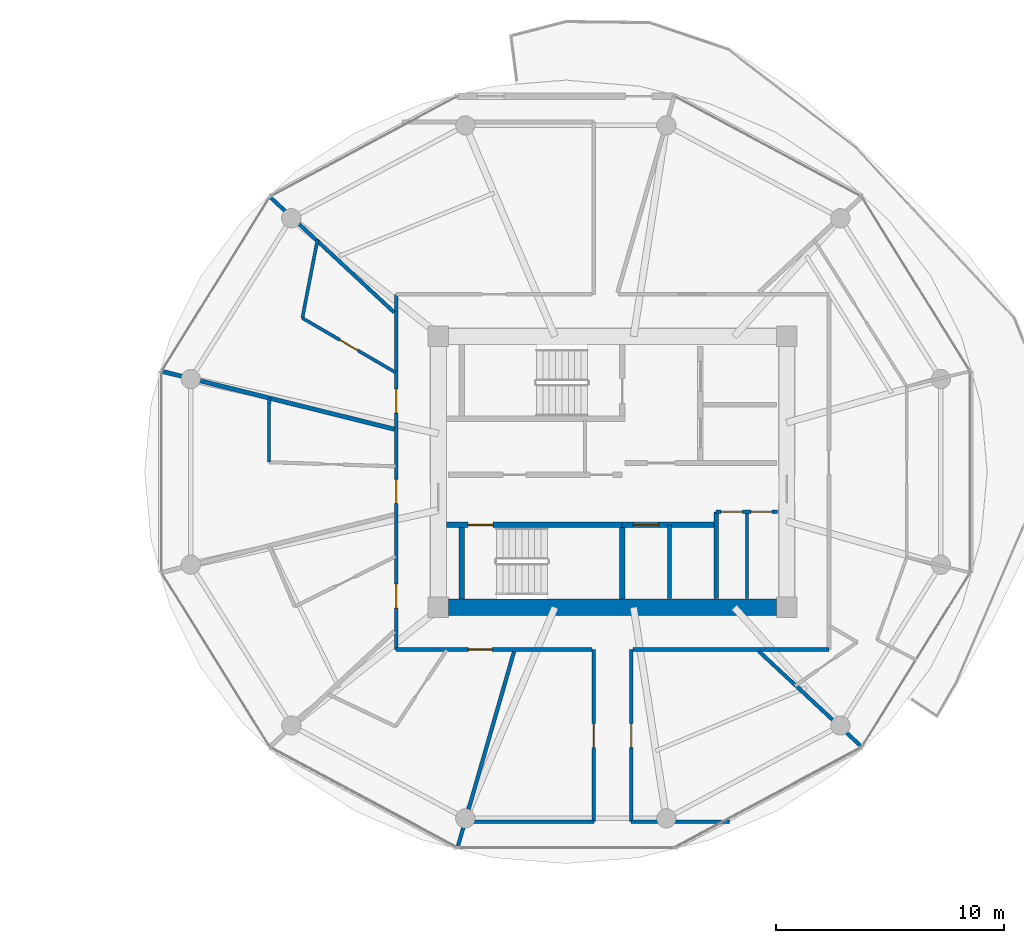
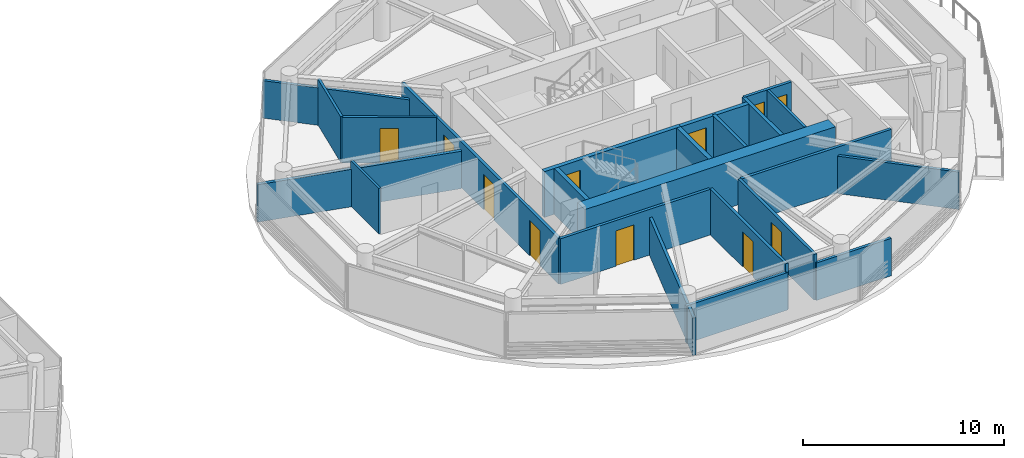
# One storey, part 16 of 24: 23 walls, 11 doors, 11 openings.
"""IFC4 building model written with IfcOpenShell, lengths in metres."""

import ifcopenshell
import ifcopenshell.guid

model = None  # the IFC model being written
_history = None  # IfcOwnerHistory: only IFC2X3 demands one
_inside = {}  # id of a spatial element -> (the spatial element, [elements in it])
_under = {}  # id of a project, library or spatial element -> (it, [spatial elements below it])
_declared = {}  # id of a project -> (the project, [libraries it declares])
_typed = {}  # id of a type object -> (the type object, [elements of that type])
_made_of = {}  # id of a material, layer set ... -> (it, [elements and type objects made of it])


def new_model(schema):
    """Start an empty IFC model of exactly this schema.

    Asked for "IFC4X3", IfcOpenShell would pick the latest addendum, in which some entities
    have other attributes; the version numbers below select the first issue.
    IFC2X3 requires an IfcOwnerHistory on every rooted entity: one is made here for all.
    """
    global model, _history
    if schema == "IFC4X3":
        model = ifcopenshell.file(schema_version=(4, 3, 0, 0))
    else:
        model = ifcopenshell.file(schema=schema)
    _inside.clear()
    _under.clear()
    _declared.clear()
    _typed.clear()
    _made_of.clear()
    _history = None
    if model.schema == "IFC2X3":
        org = make("IfcOrganization", Name="unknown")
        user = make(
            "IfcPersonAndOrganization",
            ThePerson=make("IfcPerson", FamilyName="unknown"),
            TheOrganization=org,
        )
        app = make(
            "IfcApplication",
            ApplicationDeveloper=org,
            Version="unknown",
            ApplicationFullName="unknown",
            ApplicationIdentifier="unknown",
        )
        _history = make(
            "IfcOwnerHistory",
            OwningUser=user,
            OwningApplication=app,
            ChangeAction="ADDED",
            CreationDate=0,
        )
    return model


def make(cls, **values):
    """One entity of the class cls with the attributes given. An attribute that is None is left unset."""
    return model.create_entity(
        cls, **{name: value for name, value in values.items() if value is not None}
    )


def rooted(cls, **values):
    """An entity with a GlobalId (a new one), such as an element, a storey or a relation."""
    return make(cls, GlobalId=ifcopenshell.guid.new(), OwnerHistory=_history, **values)


def si_unit(unit_type, name, prefix=None):
    """IfcSIUnit, for example si_unit("LENGTHUNIT", "METRE", prefix="MILLI")."""
    return make("IfcSIUnit", UnitType=unit_type, Prefix=prefix, Name=name)


def assignment(units):
    """IfcUnitAssignment: the units of a project."""
    return None if units is None else make("IfcUnitAssignment", Units=units)


def point(xyz):
    """IfcCartesianPoint."""
    return None if xyz is None else make("IfcCartesianPoint", Coordinates=xyz)


def direction(xyz):
    """IfcDirection."""
    return None if xyz is None else make("IfcDirection", DirectionRatios=xyz)


def frame(location, z_axis=None, x_axis=None):
    """IfcAxis2Placement3D, a coordinate frame: its origin and axes. An axis left out is left unset."""
    return make(
        "IfcAxis2Placement3D",
        Location=point(location),
        Axis=direction(z_axis),
        RefDirection=direction(x_axis),
    )


def frame_2d(location, x_axis=None):
    """IfcAxis2Placement2D, a coordinate frame in the plane: its origin and x axis."""
    return make(
        "IfcAxis2Placement2D", Location=point(location), RefDirection=direction(x_axis)
    )


def origin():
    """The frame at (0, 0, 0) with its axes left unset."""
    return frame((0.0, 0.0, 0.0))


def place(relative_to, where):
    """IfcLocalPlacement: puts the frame where relative to a parent placement (None: the world)."""
    return make(
        "IfcLocalPlacement", PlacementRelTo=relative_to, RelativePlacement=where
    )


def context(
    kind, dimensions, precision=None, world=None, true_north=None, identifier=None
):
    """IfcGeometricRepresentationContext, for example the 3D "Model" context."""
    return make(
        "IfcGeometricRepresentationContext",
        ContextIdentifier=identifier,
        ContextType=kind,
        CoordinateSpaceDimension=dimensions,
        Precision=precision,
        WorldCoordinateSystem=world,
        TrueNorth=true_north,
    )


def subcontext(parent, identifier, kind, view, scale=None):
    """IfcGeometricRepresentationSubContext, for example "Body" below "Model"."""
    return make(
        "IfcGeometricRepresentationSubContext",
        ContextIdentifier=identifier,
        ContextType=kind,
        ParentContext=parent,
        TargetScale=scale,
        TargetView=view,
    )


def project(units=None, contexts=None):
    """IfcProject with its units and contexts."""
    return rooted(
        "IfcProject",
        Name="project",
        RepresentationContexts=contexts,
        UnitsInContext=assignment(units),
    )


def spatial(cls, under=None, at=None, **own):
    """A site, building, storey or space (cls), placed at a placement, below another one or the project."""
    s = rooted(cls, ObjectPlacement=at, **own)
    if under is not None:
        _under.setdefault(under.id(), (under, []))[1].append(s)
    return s


def profile(cls, at=None, kind="AREA", **sizes):
    """A parametric profile (cls). Its sizes go by their IFC names, for example OverallWidth=200.0."""
    return make(cls, ProfileType=kind, Position=at, **sizes)


def rectangle(**sizes):
    """IfcRectangleProfileDef."""
    return profile("IfcRectangleProfileDef", **sizes)


def extrude(swept, where, along, depth):
    """IfcExtrudedAreaSolid: the profile swept, set in the frame where, extruded along a direction by depth."""
    return make(
        "IfcExtrudedAreaSolid",
        SweptArea=swept,
        Position=where,
        ExtrudedDirection=direction(along),
        Depth=depth,
    )


def shape(context_of_items, identifier, shape_type, items):
    """IfcShapeRepresentation: the items that make up one representation, for example the "Body"."""
    return make(
        "IfcShapeRepresentation",
        ContextOfItems=context_of_items,
        RepresentationIdentifier=identifier,
        RepresentationType=shape_type,
        Items=items,
    )


def source(mapping_origin, context_of_items, identifier, shape_type, items):
    """IfcRepresentationMap: a shape defined once, which mapped items show again and again."""
    return make(
        "IfcRepresentationMap",
        MappingOrigin=mapping_origin,
        MappedRepresentation=shape(context_of_items, identifier, shape_type, items),
    )


def transform(
    local_origin,
    x_axis=None,
    y_axis=None,
    z_axis=None,
    scale=None,
    scale2=None,
    scale3=None,
    uniform=True,
):
    """IfcCartesianTransformationOperator3D, or its non-uniform kind. x_axis, y_axis, z_axis: its Axis1, 2, 3."""
    if uniform:
        return make(
            "IfcCartesianTransformationOperator3D",
            Axis1=direction(x_axis),
            Axis2=direction(y_axis),
            LocalOrigin=point(local_origin),
            Scale=scale,
            Axis3=direction(z_axis),
        )
    return make(
        "IfcCartesianTransformationOperator3DnonUniform",
        Axis1=direction(x_axis),
        Axis2=direction(y_axis),
        LocalOrigin=point(local_origin),
        Scale=scale,
        Axis3=direction(z_axis),
        Scale2=scale2,
        Scale3=scale3,
    )


def mapped(mapping_source, mapping_target):
    """IfcMappedItem: shows the shape of a source again, moved by a transform."""
    return make(
        "IfcMappedItem", MappingSource=mapping_source, MappingTarget=mapping_target
    )


def material(Name=None, Category=None):
    """IfcMaterial."""
    return make("IfcMaterial", Name=Name, Category=Category)


def layer(
    of_material, thickness, ventilated=None, Name=None, Category=None, Priority=None
):
    """IfcMaterialLayer: one layer of a wall or slab, of a material (None: an air gap)."""
    return make(
        "IfcMaterialLayer",
        Material=of_material,
        LayerThickness=thickness,
        IsVentilated=ventilated,
        Name=Name,
        Category=Category,
        Priority=Priority,
    )


def layer_set(layers, Name=None):
    """IfcMaterialLayerSet."""
    return make("IfcMaterialLayerSet", MaterialLayers=layers, LayerSetName=Name)


def made_of(thing, what):
    """Note that an element or type object is made of a material, layer set ...; save() writes the relation."""
    if what is not None:
        _made_of.setdefault(what.id(), (what, []))[1].append(thing)
    return thing


def type_object(cls, material=None, **own):
    """A type object (cls), such as IfcWallType, which elements share."""
    return made_of(rooted(cls, **own), material)


def type_shapes(of_type, sources):
    """Give a type object the sources (RepresentationMaps) that its elements show as mapped items."""
    of_type.RepresentationMaps = sources


def element(
    cls,
    number,
    at=None,
    inside=None,
    cuts=None,
    type_object=None,
    material=None,
    context=None,
    identifier="Body",
    shape_type=None,
    held_by="IfcProductDefinitionShape",
    body=None,
    shapes=None,
    **own,
):
    """One element of the class cls, such as IfcWall. Its Tag is "e" and its number.

    at: its placement. inside: the storey or other place that contains it. cuts: it is an
    opening in that element (IfcRelVoidsElement). A single representation is given by context,
    identifier, shape_type and body (its items); several are given by shapes. held_by: the class
    of the entity that holds the representations. save() writes the other relations.
    """
    e = rooted(cls, Tag="e%d" % number, ObjectPlacement=at, **own)
    if body is not None:
        shapes = [shape(context, identifier, shape_type, body)]
    if shapes is not None:
        e.Representation = make(held_by, Representations=shapes)
    if inside is not None:
        _inside.setdefault(inside.id(), (inside, []))[1].append(e)
    if cuts is not None:
        rooted(
            "IfcRelVoidsElement", RelatingBuildingElement=cuts, RelatedOpeningElement=e
        )
    if type_object is not None:
        _typed.setdefault(type_object.id(), (type_object, []))[1].append(e)
    return made_of(e, material)


def fill(opening, filler):
    """IfcRelFillsElement: the door or window that sits in an opening."""
    return rooted(
        "IfcRelFillsElement",
        RelatingOpeningElement=opening,
        RelatedBuildingElement=filler,
    )


def aggregate(whole, parts):
    """IfcRelAggregates: a whole, such as a stair, and the parts it consists of."""
    return rooted("IfcRelAggregates", RelatingObject=whole, RelatedObjects=parts)


def save(model, path):
    """Write the relations noted so far, then the file.

    IfcRelAggregates (storeys below a building ...), IfcRelContainedInSpatialStructure (elements
    in a storey), IfcRelDefinesByType, IfcRelAssociatesMaterial and IfcRelDeclares: one each for
    every whole, place, type object, material and project.
    """
    for whole, parts in _under.values():
        aggregate(whole, parts)
    for where, things in _inside.values():
        rooted(
            "IfcRelContainedInSpatialStructure",
            RelatedElements=things,
            RelatingStructure=where,
        )
    for kind, things in _typed.values():
        rooted("IfcRelDefinesByType", RelatedObjects=things, RelatingType=kind)
    for what, things in _made_of.values():
        rooted("IfcRelAssociatesMaterial", RelatedObjects=things, RelatingMaterial=what)
    for by, libraries in _declared.values():
        rooted("IfcRelDeclares", RelatingContext=by, RelatedDefinitions=libraries)
    model.write(path)


model = new_model("IFC4")

# Units and contexts
model_context = context("Model", 3, precision=1e-05, world=origin(), true_north=direction((0.0, 1.0)))
body_context = subcontext(model_context, "Body", "Model", "MODEL_VIEW")
ifc_project = project(units=[si_unit("LENGTHUNIT", "METRE"), si_unit("AREAUNIT", "SQUARE_METRE"), si_unit("VOLUMEUNIT", "CUBIC_METRE"), si_unit("PLANEANGLEUNIT", "RADIAN"), si_unit("MASSUNIT", "GRAM", prefix="KILO")], contexts=[model_context])

# Site, building, storey
site_placement = place(None, origin())
site = spatial("IfcSite", under=ifc_project, at=site_placement, CompositionType="ELEMENT")
building_placement = place(site_placement, origin())
building = spatial("IfcBuilding", under=site, at=building_placement, Name="Norrkilde Senior Care Towers", CompositionType="ELEMENT")
storey_placement = place(building_placement, frame((0.0, 0.0, 108.449951171875)))
storey = spatial("IfcBuildingStorey", under=building, at=storey_placement, Name="L33", CompositionType="ELEMENT", Elevation=108.449951171875)

# Walls
ifc_material_1 = material(Name="Concrete C60/75", Category="concrete")
ifc_layer_1 = layer(ifc_material_1, 0.719970703125)
ifc_layer_set_1 = layer_set([ifc_layer_1], Name="Concrete C60/75")
wall_type_1 = type_object("IfcWallType", Name="Core Shear Wall Z2 720", PredefinedType="SHEAR", material=ifc_layer_set_1)
shared_shape_1 = source(origin(), body_context, "Body", "SweptSolid", [
    extrude(rectangle(XDim=14.39990234375, YDim=0.719970703125, at=frame_2d((7.199951171875, 0.0))), origin(), (0.0, 0.0, 1.0), 2.7900390625),
])
type_shapes(wall_type_1, [shared_shape_1])
wall_1_placement = place(storey_placement, frame((35.199951171875, -5.949951171875, 0.0), z_axis=(0.0, 0.0, 1.0), x_axis=(-1.0, 0.0, 0.0)))
element("IfcWall", 1, at=wall_1_placement, inside=storey, type_object=wall_type_1, Name="L33 Core E South Shear Wall", PredefinedType="SHEAR", context=body_context, shape_type="MappedRepresentation", body=[
    mapped(shared_shape_1, transform((0.0, 0.0, 0.0), x_axis=(1.0, 0.0, 0.0), y_axis=(0.0, 1.0, 0.0), z_axis=(0.0, 0.0, 1.0), scale=1.0)),
])
ifc_material_2 = material(Name="Concrete C45/55", Category="concrete")
ifc_layer_2 = layer(ifc_material_2, 0.199951171875)
ifc_layer_set_2 = layer_set([ifc_layer_2], Name="Concrete C45/55")
wall_type_2 = type_object("IfcWallType", Name="Shaft Division and Plant Partition 200", PredefinedType="PARTITIONING", material=ifc_layer_set_2)
shared_shape_2 = source(origin(), body_context, "Body", "SweptSolid", [
    extrude(rectangle(XDim=3.800048828125, YDim=0.199951171875, at=frame_2d((1.89990234375, 0.0))), origin(), (0.0, 0.0, 1.0), 2.775146484375),
])
type_shapes(wall_type_2, [shared_shape_2])
wall_2_placement = place(storey_placement, frame((32.550048828125, -5.550048828125, 0.0), z_axis=(0.0, 0.0, 1.0), x_axis=(0.0, 1.0, 0.0)))
element("IfcWall", 2, at=wall_2_placement, inside=storey, type_object=wall_type_2, Name="WL-INT-L33-E-PKBE", PredefinedType="PARTITIONING", context=body_context, shape_type="MappedRepresentation", body=[
    mapped(shared_shape_2, transform((0.0, 0.0, 0.0), x_axis=(1.0, 0.0, 0.0), y_axis=(0.0, 1.0, 0.0), z_axis=(0.0, 0.0, 1.0), scale=1.0)),
])

# Wall, opening, door
ifc_layer_3 = layer(ifc_material_2, 0.239990234375)
ifc_layer_set_3 = layer_set([ifc_layer_3], Name="Concrete C45/55")
wall_type_3 = type_object("IfcWallType", Name="Lift and Plant Rated Enclosure Partition 240", PredefinedType="PARTITIONING", material=ifc_layer_set_3)
shared_shape_3 = source(origin(), body_context, "Body", "SweptSolid", [
    extrude(rectangle(XDim=4.130126953125, YDim=0.239990234375, at=frame_2d((2.06494140625, 0.0))), origin(), (0.0, 0.0, 1.0), 2.775146484375),
])
type_shapes(wall_type_3, [shared_shape_3])
wall_3_placement = place(storey_placement, frame((28.419921875, -2.330078125, 0.0), z_axis=(0.0, 0.0, 1.0), x_axis=(1.0, 0.0, 0.0)))
wall_3 = element("IfcWall", 3, at=wall_3_placement, inside=storey, type_object=wall_type_3, Name="WL-INT-L33-E-PKBN", PredefinedType="PARTITIONING", context=body_context, shape_type="MappedRepresentation", body=[
    mapped(shared_shape_3, transform((0.0, 0.0, 0.0), x_axis=(1.0, 0.0, 0.0), y_axis=(0.0, 1.0, 0.0), z_axis=(0.0, 0.0, 1.0), scale=1.0)),
])
opening_1_placement = place(wall_3_placement, frame((0.5, 0.0, 0.0)))
opening_1 = element("IfcOpeningElement", 4, at=opening_1_placement, cuts=wall_3, Name="Opening LD-01", PredefinedType="OPENING", context=body_context, shape_type="SweptSolid", body=[
    extrude(rectangle(XDim=1.10009765625, YDim=2.199951171875, at=frame_2d((0.550048828125, 1.10009765625))), frame((0.0, 0.1298828125, 0.0), z_axis=(0.0, -1.0, 0.0), x_axis=(1.0, 0.0, 0.0)), (0.0, 0.0, 1.0), 0.260009765625),
])
ifc_material_3 = material(Name="Stainless Steel", Category="steel")
door_type_1 = type_object("IfcDoorType", Name="Lift Landing Sliding Door 1100x2200", OperationType="NOTDEFINED", PredefinedType="DOOR", material=ifc_material_3)
shared_shape_4 = source(origin(), body_context, "Body", "SweptSolid", [
    extrude(rectangle(XDim=1.10009765625, YDim=2.199951171875, at=frame_2d((0.550048828125, 1.10009765625))), frame((0.0, 0.02490234375, 0.0), z_axis=(0.0, -1.0, 0.0), x_axis=(1.0, 0.0, 0.0)), (0.0, 0.0, 1.0), 0.050048828125),
])
type_shapes(door_type_1, [shared_shape_4])
door_1_placement = place(opening_1_placement, frame((1.10009765625, 0.0, 0.0), z_axis=(0.0, 0.0, 1.0), x_axis=(-1.0, 0.0, 0.0)))
door_1 = element("IfcDoor", 5, at=door_1_placement, inside=storey, type_object=door_type_1, Name="L33 Passenger Lift E3 Landing Door", OperationType="SLIDING_TO_LEFT", OverallHeight=2.199951171875, OverallWidth=1.10009765625, PredefinedType="DOOR", context=body_context, shape_type="MappedRepresentation", body=[
    mapped(shared_shape_4, transform((0.0, 0.0, 0.0), x_axis=(1.0, 0.0, 0.0), y_axis=(0.0, 1.0, 0.0), z_axis=(0.0, 0.0, 1.0), scale=1.0)),
])
fill(opening_1, door_1)

# Wall
ifc_layer_4 = layer(ifc_material_2, 0.179931640625)
ifc_layer_set_4 = layer_set([ifc_layer_4], Name="Concrete C45/55")
wall_type_4 = type_object("IfcWallType", Name="Hoistway Division Rated Partition 180", PredefinedType="PARTITIONING", material=ifc_layer_set_4)
shared_shape_5 = source(origin(), body_context, "Body", "SweptSolid", [
    extrude(rectangle(XDim=3.219970703125, YDim=0.179931640625, at=frame_2d((1.60986328125, 0.0))), origin(), (0.0, 0.0, 1.0), 2.775146484375),
])
type_shapes(wall_type_4, [shared_shape_5])
wall_4_placement = place(storey_placement, frame((30.5, -5.550048828125, 0.0), z_axis=(0.0, 0.0, 1.0), x_axis=(0.0, 1.0, 0.0)))
element("IfcWall", 6, at=wall_4_placement, inside=storey, type_object=wall_type_4, Name="WL-INT-L33-E-PL34", PredefinedType="PARTITIONING", context=body_context, shape_type="MappedRepresentation", body=[
    mapped(shared_shape_5, transform((0.0, 0.0, 0.0), x_axis=(1.0, 0.0, 0.0), y_axis=(0.0, 1.0, 0.0), z_axis=(0.0, 0.0, 1.0), scale=1.0)),
])

# Wall, openings, doors
ifc_material_4 = material(Name="Gypsum Acoustic Board")
ifc_layer_5 = layer(ifc_material_4, 0.1650390625)
ifc_layer_set_5 = layer_set([ifc_layer_5], Name="Gypsum Acoustic Board")
wall_type_5 = type_object("IfcWallType", Name="Corridor Rated Partition 165", PredefinedType="PARTITIONING", material=ifc_layer_set_5)
shared_shape_6 = source(origin(), body_context, "Body", "SweptSolid", [
    extrude(rectangle(XDim=2.699951171875, YDim=0.1650390625, at=frame_2d((1.35009765625, 0.0))), origin(), (0.0, 0.0, 1.0), 2.775146484375),
])
wall_5_placement = place(storey_placement, frame((32.550048828125, -1.75, 0.0), z_axis=(0.0, 0.0, 1.0), x_axis=(1.0, 0.0, 0.0)))
wall_5 = element("IfcWall", 7, at=wall_5_placement, inside=storey, type_object=wall_type_5, Name="WL-INT-L33-E-CSN", PredefinedType="PARTITIONING", context=body_context, shape_type="MappedRepresentation", body=[
    mapped(shared_shape_6, transform((0.0, 0.0, 0.0), x_axis=(1.0, 0.0, 0.0), y_axis=(0.0, 1.0, 0.0), z_axis=(0.0, 0.0, 1.0), scale=1.0)),
])
opening_2_placement = place(wall_5_placement, frame((0.222412109375, 0.0, 0.0)))
opening_2 = element("IfcOpeningElement", 8, at=opening_2_placement, cuts=wall_5, Name="Opening D-12", PredefinedType="OPENING", context=body_context, shape_type="SweptSolid", body=[
    extrude(rectangle(XDim=0.925048828125, YDim=2.10009765625, at=frame_2d((0.46240234375, 1.050048828125))), frame((0.0, 0.092529296875, 0.0), z_axis=(0.0, -1.0, 0.0), x_axis=(1.0, 0.0, 0.0)), (0.0, 0.0, 1.0), 0.18505859375),
])
opening_3_placement = place(wall_5_placement, frame((1.5224609375, 0.0, 0.0)))
opening_3 = element("IfcOpeningElement", 9, at=opening_3_placement, cuts=wall_5, Name="Opening D-12", PredefinedType="OPENING", context=body_context, shape_type="SweptSolid", body=[
    extrude(rectangle(XDim=0.925048828125, YDim=2.10009765625, at=frame_2d((0.46240234375, 1.050048828125))), frame((0.0, 0.092529296875, 0.0), z_axis=(0.0, -1.0, 0.0), x_axis=(1.0, 0.0, 0.0)), (0.0, 0.0, 1.0), 0.18505859375),
])
ifc_material_5 = material(Name="Galvanised Painted Steel", Category="steel")
door_type_2 = type_object("IfcDoorType", Name="Core Wet Room Rated Door 925x2100", OperationType="NOTDEFINED", PredefinedType="DOOR", material=ifc_material_5)
shared_shape_7 = source(origin(), body_context, "Body", "SweptSolid", [
    extrude(rectangle(XDim=0.925048828125, YDim=2.10009765625, at=frame_2d((0.46240234375, 1.050048828125))), frame((0.0, 0.02490234375, 0.0), z_axis=(0.0, -1.0, 0.0), x_axis=(1.0, 0.0, 0.0)), (0.0, 0.0, 1.0), 0.050048828125),
])
type_shapes(door_type_2, [shared_shape_7])
door_2_placement = place(opening_2_placement, origin())
door_2 = element("IfcDoor", 10, at=door_2_placement, inside=storey, type_object=door_type_2, Name="L33 Staff Accessible WC E Door", OperationType="SINGLE_SWING_LEFT", OverallHeight=2.10009765625, OverallWidth=0.925048828125, PredefinedType="DOOR", context=body_context, shape_type="MappedRepresentation", body=[
    mapped(shared_shape_7, transform((0.0, 0.0, 0.0), x_axis=(1.0, 0.0, 0.0), y_axis=(0.0, 1.0, 0.0), z_axis=(0.0, 0.0, 1.0), scale=1.0)),
])
fill(opening_2, door_2)
door_3_placement = place(opening_3_placement, origin())
door_3 = element("IfcDoor", 11, at=door_3_placement, inside=storey, type_object=door_type_2, Name="L33 Housekeeping Store E Door", OperationType="SINGLE_SWING_RIGHT", OverallHeight=2.10009765625, OverallWidth=0.925048828125, PredefinedType="DOOR", context=body_context, shape_type="MappedRepresentation", body=[
    mapped(shared_shape_7, transform((0.0, 0.0, 0.0), x_axis=(1.0, 0.0, 0.0), y_axis=(0.0, 1.0, 0.0), z_axis=(0.0, 0.0, 1.0), scale=1.0)),
])
fill(opening_3, door_3)

shared_shape_8 = source(origin(), body_context, "Body", "SweptSolid", [
    extrude(rectangle(XDim=15.60009765625, YDim=0.1650390625, at=frame_2d((7.800048828125, 0.0))), origin(), (0.0, 0.0, 1.0), 2.775146484375),
])
wall_6_placement = place(storey_placement, frame((18.5, -7.800048828125, 0.0), z_axis=(0.0, 0.0, 1.0), x_axis=(0.0, 1.0, 0.0)))
wall_6 = element("IfcWall", 12, at=wall_6_placement, inside=storey, type_object=wall_type_5, Name="WL-INT-L33-E-CRW-W-0", PredefinedType="PARTITIONING", context=body_context, shape_type="MappedRepresentation", body=[
    mapped(shared_shape_8, transform((0.0, 0.0, 0.0), x_axis=(1.0, 0.0, 0.0), y_axis=(0.0, 1.0, 0.0), z_axis=(0.0, 0.0, 1.0), scale=1.0)),
])
opening_4_placement = place(wall_6_placement, frame((10.3828125, 0.0, 0.0)))
opening_4 = element("IfcOpeningElement", 13, at=opening_4_placement, cuts=wall_6, Name="Opening D-06", PredefinedType="OPENING", context=body_context, shape_type="SweptSolid", body=[
    extrude(rectangle(XDim=1.050048828125, YDim=2.14990234375, at=frame_2d((0.52490234375, 1.074951171875))), frame((0.0, 0.092529296875, 0.0), z_axis=(0.0, -1.0, 0.0), x_axis=(1.0, 0.0, 0.0)), (0.0, 0.0, 1.0), 0.18505859375),
])
opening_5_placement = place(wall_6_placement, frame((6.418701171875, 0.0, 0.0)))
opening_5 = element("IfcOpeningElement", 14, at=opening_5_placement, cuts=wall_6, Name="Opening D-06", PredefinedType="OPENING", context=body_context, shape_type="SweptSolid", body=[
    extrude(rectangle(XDim=1.050048828125, YDim=2.14990234375, at=frame_2d((0.52490234375, 1.074951171875))), frame((0.0, 0.092529296875, 0.0), z_axis=(0.0, -1.0, 0.0), x_axis=(1.0, 0.0, 0.0)), (0.0, 0.0, 1.0), 0.18505859375),
])
opening_6_placement = place(wall_6_placement, frame((1.820556640625, 0.0, 0.0)))
opening_6 = element("IfcOpeningElement", 15, at=opening_6_placement, cuts=wall_6, Name="Opening D-06", PredefinedType="OPENING", context=body_context, shape_type="SweptSolid", body=[
    extrude(rectangle(XDim=1.050048828125, YDim=2.14990234375, at=frame_2d((0.52490234375, 1.074951171875))), frame((0.0, 0.092529296875, 0.0), z_axis=(0.0, -1.0, 0.0), x_axis=(1.0, 0.0, 0.0)), (0.0, 0.0, 1.0), 0.18505859375),
])
ifc_material_6 = material(Name="Nordic Ash Timber", Category="wood")
door_type_3 = type_object("IfcDoorType", Name="Apartment Entrance Fire Door 1050x2150", OperationType="NOTDEFINED", PredefinedType="DOOR", material=ifc_material_6)
shared_shape_9 = source(origin(), body_context, "Body", "SweptSolid", [
    extrude(rectangle(XDim=1.050048828125, YDim=2.14990234375, at=frame_2d((0.52490234375, 1.074951171875))), frame((0.0, 0.02490234375, 0.0), z_axis=(0.0, -1.0, 0.0), x_axis=(1.0, 0.0, 0.0)), (0.0, 0.0, 1.0), 0.050048828125),
])
type_shapes(door_type_3, [shared_shape_9])
door_4_placement = place(opening_4_placement, frame((1.050048828125, 0.0, 0.0), z_axis=(0.0, 0.0, 1.0), x_axis=(-1.0, 0.0, 0.0)))
door_4 = element("IfcDoor", 16, at=door_4_placement, inside=storey, type_object=door_type_3, Name="L33 Studio 33A Entrance Door", OperationType="SINGLE_SWING_LEFT", OverallHeight=2.14990234375, OverallWidth=1.050048828125, PredefinedType="DOOR", context=body_context, shape_type="MappedRepresentation", body=[
    mapped(shared_shape_9, transform((0.0, 0.0, 0.0), x_axis=(1.0, 0.0, 0.0), y_axis=(0.0, 1.0, 0.0), z_axis=(0.0, 0.0, 1.0), scale=1.0)),
])
fill(opening_4, door_4)
door_5_placement = place(opening_5_placement, frame((1.050048828125, 0.0, 0.0), z_axis=(0.0, 0.0, 1.0), x_axis=(-1.0, 0.0, 0.0)))
door_5 = element("IfcDoor", 17, at=door_5_placement, inside=storey, type_object=door_type_3, Name="L33 Studio 33B Entrance Door", OperationType="SINGLE_SWING_RIGHT", OverallHeight=2.14990234375, OverallWidth=1.050048828125, PredefinedType="DOOR", context=body_context, shape_type="MappedRepresentation", body=[
    mapped(shared_shape_9, transform((0.0, 0.0, 0.0), x_axis=(1.0, 0.0, 0.0), y_axis=(0.0, 1.0, 0.0), z_axis=(0.0, 0.0, 1.0), scale=1.0)),
])
fill(opening_5, door_5)
door_6_placement = place(opening_6_placement, frame((1.050048828125, 0.0, 0.0), z_axis=(0.0, 0.0, 1.0), x_axis=(-1.0, 0.0, 0.0)))
door_6 = element("IfcDoor", 18, at=door_6_placement, inside=storey, type_object=door_type_3, Name="L33 Studio 33C Entrance Door", OperationType="SINGLE_SWING_LEFT", OverallHeight=2.14990234375, OverallWidth=1.050048828125, PredefinedType="DOOR", context=body_context, shape_type="MappedRepresentation", body=[
    mapped(shared_shape_9, transform((0.0, 0.0, 0.0), x_axis=(1.0, 0.0, 0.0), y_axis=(0.0, 1.0, 0.0), z_axis=(0.0, 0.0, 1.0), scale=1.0)),
])
fill(opening_6, door_6)

# Wall, opening, door
ifc_layer_6 = layer(ifc_material_2, 0.239990234375)
ifc_layer_set_6 = layer_set([ifc_layer_6], Name="Concrete C45/55")
wall_type_6 = type_object("IfcWallType", Name="Shaft and Stair Enclosure Wall 240", PredefinedType="PARTITIONING", material=ifc_layer_set_6)
shared_shape_10 = source(origin(), body_context, "Body", "SweptSolid", [
    extrude(rectangle(XDim=7.830078125, YDim=0.239990234375, at=frame_2d((3.9150390625, 0.0))), origin(), (0.0, 0.0, 1.0), 2.7900390625),
])
wall_7_placement = place(storey_placement, frame((20.7099609375, -2.330078125, 0.0), z_axis=(0.0, 0.0, 1.0), x_axis=(1.0, 0.0, 0.0)))
wall_7 = element("IfcWall", 19, at=wall_7_placement, inside=storey, type_object=wall_type_6, Name="WL-INT-L33-E-ST2N", PredefinedType="PARTITIONING", context=body_context, shape_type="MappedRepresentation", body=[
    mapped(shared_shape_10, transform((0.0, 0.0, 0.0), x_axis=(1.0, 0.0, 0.0), y_axis=(0.0, 1.0, 0.0), z_axis=(0.0, 0.0, 1.0), scale=1.0)),
])
opening_7_placement = place(wall_7_placement, frame((0.949951171875, 0.0, 0.0)))
opening_7 = element("IfcOpeningElement", 20, at=opening_7_placement, cuts=wall_7, Name="Opening D-03", PredefinedType="OPENING", context=body_context, shape_type="SweptSolid", body=[
    extrude(rectangle(XDim=1.10009765625, YDim=2.14990234375, at=frame_2d((0.550048828125, 1.074951171875))), frame((0.0, 0.1298828125, 0.0), z_axis=(0.0, -1.0, 0.0), x_axis=(1.0, 0.0, 0.0)), (0.0, 0.0, 1.0), 0.260009765625),
])
door_type_4 = type_object("IfcDoorType", Name="Stairwell Protected Fire Door 1100x2150", OperationType="NOTDEFINED", PredefinedType="DOOR", material=ifc_material_5)
shared_shape_11 = source(origin(), body_context, "Body", "SweptSolid", [
    extrude(rectangle(XDim=1.10009765625, YDim=2.14990234375, at=frame_2d((0.550048828125, 1.074951171875))), frame((0.0, 0.02490234375, 0.0), z_axis=(0.0, -1.0, 0.0), x_axis=(1.0, 0.0, 0.0)), (0.0, 0.0, 1.0), 0.050048828125),
])
type_shapes(door_type_4, [shared_shape_11])
door_7_placement = place(opening_7_placement, frame((1.10009765625, 0.0, 0.0), z_axis=(0.0, 0.0, 1.0), x_axis=(-1.0, 0.0, 0.0)))
door_7 = element("IfcDoor", 21, at=door_7_placement, inside=storey, type_object=door_type_4, Name="L33 Stair E2 Fire Door", OperationType="SINGLE_SWING_RIGHT", OverallHeight=2.14990234375, OverallWidth=1.10009765625, PredefinedType="DOOR", context=body_context, shape_type="MappedRepresentation", body=[
    mapped(shared_shape_11, transform((0.0, 0.0, 0.0), x_axis=(1.0, 0.0, 0.0), y_axis=(0.0, 1.0, 0.0), z_axis=(0.0, 0.0, 1.0), scale=1.0)),
])
fill(opening_7, door_7)

# Walls
shared_shape_12 = source(origin(), body_context, "Body", "SweptSolid", [
    extrude(rectangle(XDim=3.14013671875, YDim=0.239990234375, at=frame_2d((1.570068359375, 0.0))), origin(), (0.0, 0.0, 1.0), 2.7900390625),
])
type_shapes(wall_type_6, [shared_shape_10, shared_shape_12])
for number, where, z_axis, x_axis, name in (
    (22, (21.3798828125, -5.590087890625, 0.0), (0.0, 0.0, 1.0), (0.0, 1.0, 0.0), "WL-INT-L33-E-ST2W"),
    (23, (28.419921875, -5.590087890625, 0.0), (0.0, 0.0, 1.0), (0.0, 1.0, 0.0), "WL-INT-L33-E-ST2E"),
):
    element("IfcWall", number, at=place(storey_placement, frame(where, z_axis=z_axis, x_axis=x_axis)), inside=storey, type_object=wall_type_6, Name=name, PredefinedType="PARTITIONING", context=body_context, shape_type="MappedRepresentation", body=[
        mapped(shared_shape_12, transform((0.0, 0.0, 0.0), x_axis=(1.0, 0.0, 0.0), y_axis=(0.0, 1.0, 0.0), z_axis=(0.0, 0.0, 1.0), scale=1.0)),
    ])
ifc_layer_7 = layer(ifc_material_4, 0.18994140625)
ifc_layer_set_7 = layer_set([ifc_layer_7], Name="Gypsum Acoustic Board")
wall_type_7 = type_object("IfcWallType", Name="Unit Demising Acoustic Wall 190", PredefinedType="PARTITIONING", material=ifc_layer_set_7)
shared_shape_13 = source(origin(), body_context, "Body", "SweptSolid", [
    extrude(rectangle(XDim=10.5556640625, YDim=0.18994140625, at=frame_2d((5.27783203125, 0.0))), origin(), (0.0, 0.0, 1.0), 2.275146484375),
])
type_shapes(wall_type_7, [shared_shape_13])
wall_8_placement = place(storey_placement, frame((18.419921875, 1.875, 0.0), z_axis=(0.0, 0.0, 1.0), x_axis=(-0.970363857851, 0.241648470667, 0.0)))
element("IfcWall", 24, at=wall_8_placement, inside=storey, type_object=wall_type_7, Name="WL-INT-L33-E-DEM-05-0", PredefinedType="PARTITIONING", context=body_context, shape_type="MappedRepresentation", body=[
    mapped(shared_shape_13, transform((0.0, 0.0, 0.0), x_axis=(1.0, 0.0, 0.0), y_axis=(0.0, 1.0, 0.0), z_axis=(0.0, 0.0, 1.0), scale=1.0)),
])
ifc_layer_8 = layer(ifc_material_4, 0.139892578125)
ifc_layer_set_8 = layer_set([ifc_layer_8], Name="Gypsum Acoustic Board")
wall_type_8 = type_object("IfcWallType", Name="En-suite Wet Room Wall 140", PredefinedType="PARTITIONING", material=ifc_layer_set_8)
shared_shape_14 = source(origin(), body_context, "Body", "SweptSolid", [
    extrude(rectangle(XDim=3.800048828125, YDim=0.139892578125, at=frame_2d((1.89990234375, 0.0))), origin(), (0.0, 0.0, 1.0), 2.775146484375),
])
wall_9_placement = place(storey_placement, frame((33.89990234375, -5.550048828125, 0.0), z_axis=(0.0, 0.0, 1.0), x_axis=(0.0, 1.0, 0.0)))
element("IfcWall", 25, at=wall_9_placement, inside=storey, type_object=wall_type_8, Name="WL-INT-L33-E-CS1V", PredefinedType="PARTITIONING", context=body_context, shape_type="MappedRepresentation", body=[
    mapped(shared_shape_14, transform((0.0, 0.0, 0.0), x_axis=(1.0, 0.0, 0.0), y_axis=(0.0, 1.0, 0.0), z_axis=(0.0, 0.0, 1.0), scale=1.0)),
])
shared_shape_15 = source(origin(), body_context, "Body", "SweptSolid", [
    extrude(rectangle(XDim=8.60009765625, YDim=0.1650390625, at=frame_2d((4.300048828125, 0.0))), origin(), (0.0, 0.0, 1.0), 2.775146484375),
])
wall_10_placement = place(storey_placement, frame((37.5, -7.800048828125, 0.0), z_axis=(0.0, 0.0, 1.0), x_axis=(-1.0, 0.0, 0.0)))
element("IfcWall", 26, at=wall_10_placement, inside=storey, type_object=wall_type_5, Name="WL-INT-L33-E-CRW-S-0", PredefinedType="PARTITIONING", context=body_context, shape_type="MappedRepresentation", body=[
    mapped(shared_shape_15, transform((0.0, 0.0, 0.0), x_axis=(1.0, 0.0, 0.0), y_axis=(0.0, 1.0, 0.0), z_axis=(0.0, 0.0, 1.0), scale=1.0)),
])

# Wall, opening, door
wall_11_placement = place(storey_placement, frame((27.10009765625, -7.800048828125, 0.0), z_axis=(0.0, 0.0, 1.0), x_axis=(-1.0, 0.0, 0.0)))
wall_11 = element("IfcWall", 27, at=wall_11_placement, inside=storey, type_object=wall_type_5, Name="WL-INT-L33-E-CRW-S-1", PredefinedType="PARTITIONING", context=body_context, shape_type="MappedRepresentation", body=[
    mapped(shared_shape_15, transform((0.0, 0.0, 0.0), x_axis=(1.0, 0.0, 0.0), y_axis=(0.0, 1.0, 0.0), z_axis=(0.0, 0.0, 1.0), scale=1.0)),
])
opening_8_placement = place(wall_11_placement, frame((4.384033203125, 0.0, 0.0)))
opening_8 = element("IfcOpeningElement", 28, at=opening_8_placement, cuts=wall_11, Name="Opening D-06", PredefinedType="OPENING", context=body_context, shape_type="SweptSolid", body=[
    extrude(rectangle(XDim=1.050048828125, YDim=2.14990234375, at=frame_2d((0.52490234375, 1.074951171875))), frame((0.0, 0.092529296875, 0.0), z_axis=(0.0, -1.0, 0.0), x_axis=(1.0, 0.0, 0.0)), (0.0, 0.0, 1.0), 0.18505859375),
])
door_8_placement = place(opening_8_placement, frame((1.050048828125, 0.0, 0.0), z_axis=(0.0, 0.0, 1.0), x_axis=(-1.0, 0.0, 0.0)))
door_8 = element("IfcDoor", 29, at=door_8_placement, inside=storey, type_object=door_type_3, Name="L33 Studio 33D Entrance Door", OperationType="SINGLE_SWING_RIGHT", OverallHeight=2.14990234375, OverallWidth=1.050048828125, PredefinedType="DOOR", context=body_context, shape_type="MappedRepresentation", body=[
    mapped(shared_shape_9, transform((0.0, 0.0, 0.0), x_axis=(1.0, 0.0, 0.0), y_axis=(0.0, 1.0, 0.0), z_axis=(0.0, 0.0, 1.0), scale=1.0)),
])
fill(opening_8, door_8)

# Walls
shared_shape_16 = source(origin(), body_context, "Body", "SweptSolid", [
    extrude(rectangle(XDim=8.9892578125, YDim=0.1650390625, at=frame_2d((4.49462890625, 0.0))), origin(), (0.0, 0.0, 1.0), 2.275146484375),
])
wall_12_placement = place(storey_placement, frame((23.677978515625, -7.8798828125, 0.0), z_axis=(0.0, 0.0, 1.0), x_axis=(-0.27702323008, -0.960863221274, 0.0)))
element("IfcWall", 30, at=wall_12_placement, inside=storey, type_object=wall_type_5, Name="WL-INT-L33-E-DEM-08-0", PredefinedType="PARTITIONING", context=body_context, shape_type="MappedRepresentation", body=[
    mapped(shared_shape_16, transform((0.0, 0.0, 0.0), x_axis=(1.0, 0.0, 0.0), y_axis=(0.0, 1.0, 0.0), z_axis=(0.0, 0.0, 1.0), scale=1.0)),
])
shared_shape_17 = source(origin(), body_context, "Body", "SweptSolid", [
    extrude(rectangle(XDim=6.186767578125, YDim=0.1650390625, at=frame_2d((3.09326171875, 0.0))), origin(), (0.0, 0.0, 1.0), 2.275146484375),
])
wall_13_placement = place(storey_placement, frame((34.428955078125, -7.8798828125, 0.0), z_axis=(0.0, 0.0, 1.0), x_axis=(0.732501077882, -0.680765870841, 0.0)))
element("IfcWall", 31, at=wall_13_placement, inside=storey, type_object=wall_type_5, Name="WL-INT-L33-E-DEM-10-0", PredefinedType="PARTITIONING", context=body_context, shape_type="MappedRepresentation", body=[
    mapped(shared_shape_17, transform((0.0, 0.0, 0.0), x_axis=(1.0, 0.0, 0.0), y_axis=(0.0, 1.0, 0.0), z_axis=(0.0, 0.0, 1.0), scale=1.0)),
])
shared_shape_18 = source(origin(), body_context, "Body", "SweptSolid", [
    extrude(rectangle(XDim=7.482177734375, YDim=0.1650390625, at=frame_2d((3.7412109375, 0.0))), origin(), (0.0, 0.0, 1.0), 2.275146484375),
])
wall_14_placement = place(storey_placement, frame((18.419921875, 6.998046875, 0.0), z_axis=(0.0, 0.0, 1.0), x_axis=(-0.732508698043, 0.680757671489, 0.0)))
element("IfcWall", 32, at=wall_14_placement, inside=storey, type_object=wall_type_5, Name="WL-INT-L33-E-DEM-04-0", PredefinedType="PARTITIONING", context=body_context, shape_type="MappedRepresentation", body=[
    mapped(shared_shape_18, transform((0.0, 0.0, 0.0), x_axis=(1.0, 0.0, 0.0), y_axis=(0.0, 1.0, 0.0), z_axis=(0.0, 0.0, 1.0), scale=1.0)),
])

# Wall, opening, door
shared_shape_19 = source(origin(), body_context, "Body", "SweptSolid", [
    extrude(rectangle(XDim=7.56005859375, YDim=0.1650390625, at=frame_2d((3.780029296875, 0.0))), origin(), (0.0, 0.0, 1.0), 2.775146484375),
])
wall_15_placement = place(storey_placement, frame((27.179931640625, -15.360107421875, 0.0), z_axis=(0.0, 0.0, 1.0), x_axis=(0.0, 1.0, 0.0)))
wall_15 = element("IfcWall", 33, at=wall_15_placement, inside=storey, type_object=wall_type_5, Name="WL-INT-L33-E-PKW-SWL", PredefinedType="PARTITIONING", context=body_context, shape_type="MappedRepresentation", body=[
    mapped(shared_shape_19, transform((0.0, 0.0, 0.0), x_axis=(1.0, 0.0, 0.0), y_axis=(0.0, 1.0, 0.0), z_axis=(0.0, 0.0, 1.0), scale=1.0)),
])
opening_9_placement = place(wall_15_placement, frame((3.2548828125, 0.0, 0.0)))
opening_9 = element("IfcOpeningElement", 34, at=opening_9_placement, cuts=wall_15, Name="Opening D-06", PredefinedType="OPENING", context=body_context, shape_type="SweptSolid", body=[
    extrude(rectangle(XDim=1.050048828125, YDim=2.14990234375, at=frame_2d((0.52490234375, 1.074951171875))), frame((0.0, 0.092529296875, 0.0), z_axis=(0.0, -1.0, 0.0), x_axis=(1.0, 0.0, 0.0)), (0.0, 0.0, 1.0), 0.18505859375),
])
door_9_placement = place(opening_9_placement, frame((1.050048828125, 0.0, 0.0), z_axis=(0.0, 0.0, 1.0), x_axis=(-1.0, 0.0, 0.0)))
door_9 = element("IfcDoor", 35, at=door_9_placement, inside=storey, type_object=door_type_3, Name="L33 Reading Lounge SWL Door", OperationType="SINGLE_SWING_RIGHT", OverallHeight=2.14990234375, OverallWidth=1.050048828125, PredefinedType="DOOR", context=body_context, shape_type="MappedRepresentation", body=[
    mapped(shared_shape_9, transform((0.0, 0.0, 0.0), x_axis=(1.0, 0.0, 0.0), y_axis=(0.0, 1.0, 0.0), z_axis=(0.0, 0.0, 1.0), scale=1.0)),
])
fill(opening_9, door_9)

wall_16_placement = place(storey_placement, frame((28.820068359375, -15.360107421875, 0.0), z_axis=(0.0, 0.0, 1.0), x_axis=(0.0, 1.0, 0.0)))
wall_16 = element("IfcWall", 36, at=wall_16_placement, inside=storey, type_object=wall_type_5, Name="WL-INT-L33-E-PKW-SEL", PredefinedType="PARTITIONING", context=body_context, shape_type="MappedRepresentation", body=[
    mapped(shared_shape_19, transform((0.0, 0.0, 0.0), x_axis=(1.0, 0.0, 0.0), y_axis=(0.0, 1.0, 0.0), z_axis=(0.0, 0.0, 1.0), scale=1.0)),
])
opening_10_placement = place(wall_16_placement, frame((3.2548828125, 0.0, 0.0)))
opening_10 = element("IfcOpeningElement", 37, at=opening_10_placement, cuts=wall_16, Name="Opening D-06", PredefinedType="OPENING", context=body_context, shape_type="SweptSolid", body=[
    extrude(rectangle(XDim=1.050048828125, YDim=2.14990234375, at=frame_2d((0.52490234375, 1.074951171875))), frame((0.0, 0.092529296875, 0.0), z_axis=(0.0, -1.0, 0.0), x_axis=(1.0, 0.0, 0.0)), (0.0, 0.0, 1.0), 0.18505859375),
])
door_10_placement = place(opening_10_placement, frame((1.050048828125, 0.0, 0.0), z_axis=(0.0, 0.0, 1.0), x_axis=(-1.0, 0.0, 0.0)))
door_10 = element("IfcDoor", 38, at=door_10_placement, inside=storey, type_object=door_type_3, Name="L33 Reading Lounge SEL Door", OperationType="SINGLE_SWING_RIGHT", OverallHeight=2.14990234375, OverallWidth=1.050048828125, PredefinedType="DOOR", context=body_context, shape_type="MappedRepresentation", body=[
    mapped(shared_shape_9, transform((0.0, 0.0, 0.0), x_axis=(1.0, 0.0, 0.0), y_axis=(0.0, 1.0, 0.0), z_axis=(0.0, 0.0, 1.0), scale=1.0)),
])
fill(opening_10, door_10)

# Walls
shared_shape_20 = source(origin(), body_context, "Body", "SweptSolid", [
    extrude(rectangle(XDim=4.306884765625, YDim=0.1650390625, at=frame_2d((2.1533203125, 0.0))), origin(), (0.0, 0.0, 1.0), 2.275146484375),
])
wall_17_placement = place(storey_placement, frame((28.820068359375, -15.360107421875, 0.0), z_axis=(0.0, 0.0, 1.0), x_axis=(1.0, 0.0, 0.0)))
element("IfcWall", 39, at=wall_17_placement, inside=storey, type_object=wall_type_5, Name="WL-INT-L33-E-PKH-SEL-0", PredefinedType="PARTITIONING", context=body_context, shape_type="MappedRepresentation", body=[
    mapped(shared_shape_20, transform((0.0, 0.0, 0.0), x_axis=(1.0, 0.0, 0.0), y_axis=(0.0, 1.0, 0.0), z_axis=(0.0, 0.0, 1.0), scale=1.0)),
])
shared_shape_21 = source(origin(), body_context, "Body", "SweptSolid", [
    extrude(rectangle(XDim=5.81396484375, YDim=0.1650390625, at=frame_2d((2.906982421875, 0.0))), origin(), (0.0, 0.0, 1.0), 2.275146484375),
])
type_shapes(wall_type_5, [shared_shape_6, shared_shape_8, shared_shape_15, shared_shape_16, shared_shape_17, shared_shape_18, shared_shape_19, shared_shape_20, shared_shape_21])
wall_18_placement = place(storey_placement, frame((21.365966796875, -15.360107421875, 0.0), z_axis=(0.0, 0.0, 1.0), x_axis=(1.0, 0.0, 0.0)))
element("IfcWall", 40, at=wall_18_placement, inside=storey, type_object=wall_type_5, Name="WL-INT-L33-E-PKH-SWL-0", PredefinedType="PARTITIONING", context=body_context, shape_type="MappedRepresentation", body=[
    mapped(shared_shape_21, transform((0.0, 0.0, 0.0), x_axis=(1.0, 0.0, 0.0), y_axis=(0.0, 1.0, 0.0), z_axis=(0.0, 0.0, 1.0), scale=1.0)),
])

# Wall, opening, door
shared_shape_22 = source(origin(), body_context, "Body", "SweptSolid", [
    extrude(rectangle(XDim=4.7353515625, YDim=0.139892578125, at=frame_2d((2.36767578125, 0.0))), origin(), (0.0, 0.0, 1.0), 2.775146484375),
])
wall_19_placement = place(storey_placement, frame((18.469970703125, 4.36767578125, 0.0), z_axis=(0.0, 0.0, 1.0), x_axis=(-0.863537576642, 0.504284496814, 0.0)))
wall_19 = element("IfcWall", 41, at=wall_19_placement, inside=storey, type_object=wall_type_8, Name="WL-INT-L33-E-ES-04", PredefinedType="PARTITIONING", context=body_context, shape_type="MappedRepresentation", body=[
    mapped(shared_shape_22, transform((0.0, 0.0, 0.0), x_axis=(1.0, 0.0, 0.0), y_axis=(0.0, 1.0, 0.0), z_axis=(0.0, 0.0, 1.0), scale=1.0)),
])
opening_11_placement = place(wall_19_placement, frame((1.90771484375, 0.0, 0.0)))
opening_11 = element("IfcOpeningElement", 42, at=opening_11_placement, cuts=wall_19, Name="Opening D-08", PredefinedType="OPENING", context=body_context, shape_type="SweptSolid", body=[
    extrude(rectangle(XDim=0.919921875, YDim=2.10009765625, at=frame_2d((0.4599609375, 1.050048828125))), frame((0.0, 0.079833984375, 0.0), z_axis=(0.0, -1.0, 0.0), x_axis=(1.0, 0.0, 0.0)), (0.0, 0.0, 1.0), 0.159912109375),
])
door_type_5 = type_object("IfcDoorType", Name="Accessible Wet Room Door 920x2100", OperationType="NOTDEFINED", PredefinedType="DOOR", material=ifc_material_6)
shared_shape_23 = source(origin(), body_context, "Body", "SweptSolid", [
    extrude(rectangle(XDim=0.919921875, YDim=2.10009765625, at=frame_2d((0.4599609375, 1.050048828125))), frame((0.0, 0.02490234375, 0.0), z_axis=(0.0, -1.0, 0.0), x_axis=(1.0, 0.0, 0.0)), (0.0, 0.0, 1.0), 0.050048828125),
])
type_shapes(door_type_5, [shared_shape_23])
door_11_placement = place(opening_11_placement, origin())
door_11 = element("IfcDoor", 43, at=door_11_placement, inside=storey, type_object=door_type_5, Name="L33 Studio 33A Bathroom Door", OperationType="SINGLE_SWING_RIGHT", OverallHeight=2.10009765625, OverallWidth=0.919921875, PredefinedType="DOOR", context=body_context, shape_type="MappedRepresentation", body=[
    mapped(shared_shape_23, transform((0.0, 0.0, 0.0), x_axis=(1.0, 0.0, 0.0), y_axis=(0.0, 1.0, 0.0), z_axis=(0.0, 0.0, 1.0), scale=1.0)),
])
fill(opening_11, door_11)

# Walls
shared_shape_24 = source(origin(), body_context, "Body", "SweptSolid", [
    extrude(rectangle(XDim=3.4990234375, YDim=0.139892578125, at=frame_2d((1.74951171875, 0.0))), origin(), (0.0, 0.0, 1.0), 2.775146484375),
])
wall_20_placement = place(storey_placement, frame((14.380859375, 6.755615234375, 0.0), z_axis=(0.0, 0.0, 1.0), x_axis=(0.18957713629, 0.981865830649, 0.0)))
element("IfcWall", 44, at=wall_20_placement, inside=storey, type_object=wall_type_8, Name="WL-INT-L33-E-EF-04", PredefinedType="PARTITIONING", context=body_context, shape_type="MappedRepresentation", body=[
    mapped(shared_shape_24, transform((0.0, 0.0, 0.0), x_axis=(1.0, 0.0, 0.0), y_axis=(0.0, 1.0, 0.0), z_axis=(0.0, 0.0, 1.0), scale=1.0)),
])
shared_shape_25 = source(origin(), body_context, "Body", "SweptSolid", [
    extrude(rectangle(XDim=2.836669921875, YDim=0.139892578125, at=frame_2d((1.41845703125, 0.0))), origin(), (0.0, 0.0, 1.0), 2.775146484375),
])
type_shapes(wall_type_8, [shared_shape_14, shared_shape_22, shared_shape_24, shared_shape_25])
wall_21_placement = place(storey_placement, frame((12.916015625, 0.42529296875, 0.0), z_axis=(0.0, 0.0, 1.0), x_axis=(0.002409838945, 0.999997096334, 0.0)))
element("IfcWall", 45, at=wall_21_placement, inside=storey, type_object=wall_type_8, Name="WL-INT-L33-E-EF-05", PredefinedType="PARTITIONING", context=body_context, shape_type="MappedRepresentation", body=[
    mapped(shared_shape_25, transform((0.0, 0.0, 0.0), x_axis=(1.0, 0.0, 0.0), y_axis=(0.0, 1.0, 0.0), z_axis=(0.0, 0.0, 1.0), scale=1.0)),
])

save(model, "model.ifc")
